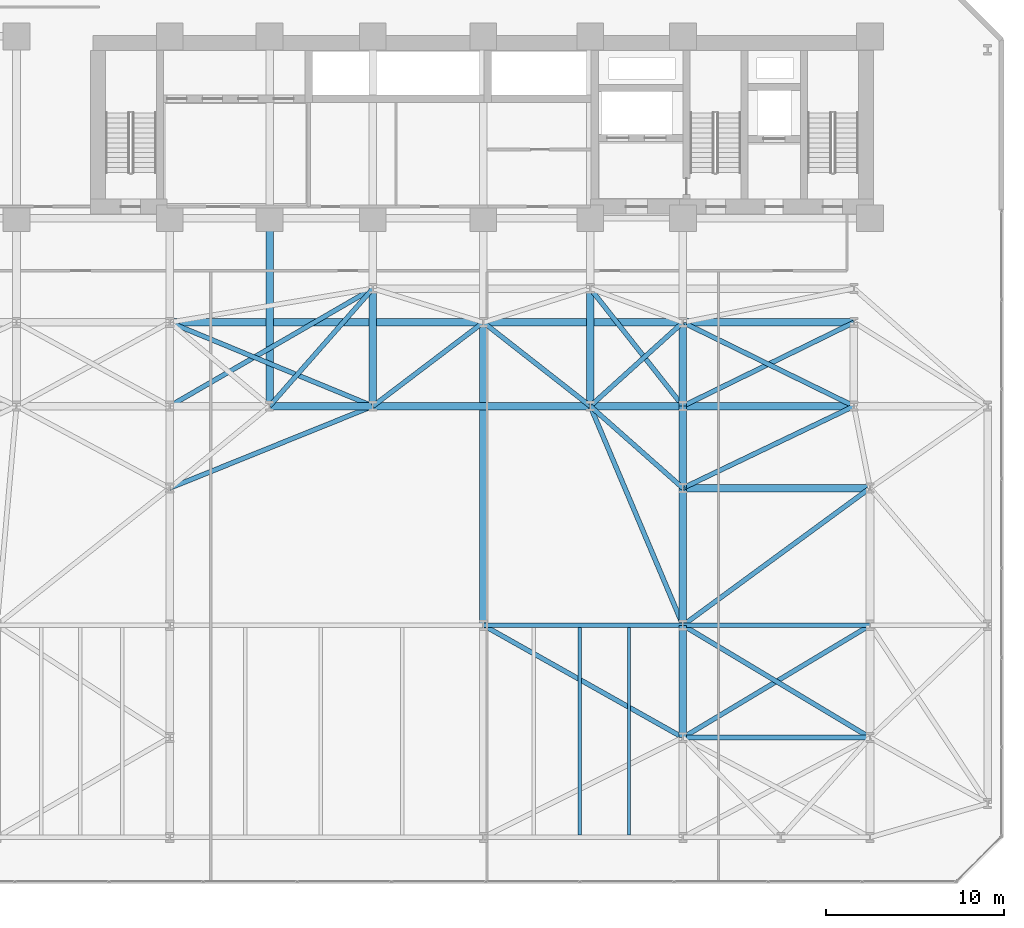
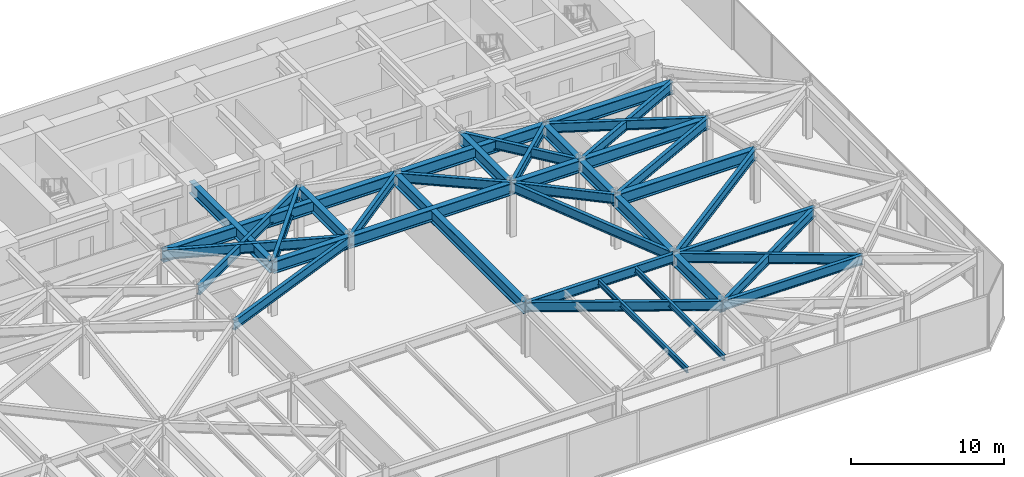
# One storey, part 18 of 28: 38 beams.
"""IFC4 building model written with IfcOpenShell, lengths in metres."""

from ifc_helpers import new_model, si_unit, direction, frame, origin, origin_2d, place, context, subcontext, project, spatial, i_section, extrude, material, material_profile, profile_set, type_object, element, save


model = new_model("IFC4")

# Units and contexts
model_context = context("Model", 3, precision=1e-05, world=origin(), true_north=direction((0.0, 1.0)))
body_context = subcontext(model_context, "Body", "Model", "MODEL_VIEW")
ifc_project = project(units=[si_unit("LENGTHUNIT", "METRE"), si_unit("AREAUNIT", "SQUARE_METRE"), si_unit("VOLUMEUNIT", "CUBIC_METRE"), si_unit("PLANEANGLEUNIT", "RADIAN"), si_unit("MASSUNIT", "GRAM", prefix="KILO")], contexts=[model_context])

# Site, building, storey
site_placement = place(None, origin())
site = spatial("IfcSite", under=ifc_project, at=site_placement, CompositionType="ELEMENT")
building_placement = place(site_placement, origin())
building = spatial("IfcBuilding", under=site, at=building_placement, Name="Kravanh Interchange Tower", CompositionType="ELEMENT")
storey_placement = place(building_placement, frame((0.0, 0.0, 10.800048828125)))
storey = spatial("IfcBuildingStorey", under=building, at=storey_placement, Name="L02", CompositionType="ELEMENT", Elevation=10.800048828125)

# Beams
ifc_material_1 = material(Name="Structural Steel S450", Category="steel")
ifc_material_profile_1 = material_profile(ifc_material_1, i_section(OverallWidth=0.423095703125, OverallDepth=0.947998046875, WebThickness=0.02392578125, FlangeThickness=0.042724609375, FilletRadius=0.028076171875, at=origin_2d()), Name="W36X302")
ifc_profile_set_1 = profile_set([ifc_material_profile_1], Name="Structural Steel S450")
beam_type_1 = type_object("IfcBeamType", Name="Floor Beam W36X302 Structural Steel S450", PredefinedType="BEAM", material=ifc_profile_set_1)
beam_1_placement = place(storey_placement, frame((56.0, 8.199951171875, 3.755859375), z_axis=(0.0, 1.0, 0.0), x_axis=(-1.0, 0.0, 0.0)))
element("IfcBeam", 1, at=beam_1_placement, inside=storey, type_object=beam_type_1, Name="L02 Primary Floor Girder 29", PredefinedType="BEAM", context=body_context, shape_type="SweptSolid", body=[
    extrude(i_section(OverallWidth=0.423095703125, OverallDepth=0.947998046875, WebThickness=0.02392578125, FlangeThickness=0.042724609375, FilletRadius=0.028076171875, at=origin_2d()), origin(), (0.0, 0.0, 1.0), 6.300048828125),
])
beam_2_placement = place(storey_placement, frame((44.800048828125, 14.5, 3.755859375), z_axis=(0.0, 1.0, 0.0), x_axis=(-1.0, 0.0, 0.0)))
element("IfcBeam", 2, at=beam_2_placement, inside=storey, type_object=beam_type_1, Name="L02 Primary Floor Girder 48", PredefinedType="BEAM", context=body_context, shape_type="SweptSolid", body=[
    extrude(i_section(OverallWidth=0.423095703125, OverallDepth=0.947998046875, WebThickness=0.02392578125, FlangeThickness=0.042724609375, FilletRadius=0.028076171875, at=origin_2d()), origin(), (0.0, 0.0, 1.0), 17.0),
])
beam_3_placement = place(storey_placement, frame((56.0, 14.5, 3.755859375), z_axis=(0.0, 1.0, 0.0), x_axis=(-1.0, 0.0, 0.0)))
element("IfcBeam", 3, at=beam_3_placement, inside=storey, type_object=beam_type_1, Name="L02 Primary Floor Girder 49", PredefinedType="BEAM", context=body_context, shape_type="SweptSolid", body=[
    extrude(i_section(OverallWidth=0.423095703125, OverallDepth=0.947998046875, WebThickness=0.02392578125, FlangeThickness=0.042724609375, FilletRadius=0.028076171875, at=origin_2d()), origin(), (0.0, 0.0, 1.0), 7.699951171875),
])
beam_4_placement = place(storey_placement, frame((56.0, 22.199951171875, 3.755859375), z_axis=(0.0, 1.0, 0.0), x_axis=(-1.0, 0.0, 0.0)))
element("IfcBeam", 4, at=beam_4_placement, inside=storey, type_object=beam_type_1, Name="L02 Primary Floor Girder 65", PredefinedType="BEAM", context=body_context, shape_type="SweptSolid", body=[
    extrude(i_section(OverallWidth=0.423095703125, OverallDepth=0.947998046875, WebThickness=0.02392578125, FlangeThickness=0.042724609375, FilletRadius=0.028076171875, at=origin_2d()), origin(), (0.0, 0.0, 1.0), 4.60009765625),
])
beam_5_placement = place(storey_placement, frame((56.0, 22.199951171875, 3.755859375), z_axis=(1.0, 0.0, 0.0), x_axis=(0.0, 1.0, 0.0)))
element("IfcBeam", 5, at=beam_5_placement, inside=storey, type_object=beam_type_1, Name="L02 Primary Floor Girder 67", PredefinedType="BEAM", context=body_context, shape_type="SweptSolid", body=[
    extrude(i_section(OverallWidth=0.423095703125, OverallDepth=0.947998046875, WebThickness=0.02392578125, FlangeThickness=0.042724609375, FilletRadius=0.028076171875, at=origin_2d()), origin(), (0.0, 0.0, 1.0), 10.5),
])
beam_6_placement = place(storey_placement, frame((32.800048828125, 26.800048828125, 3.755859375), z_axis=(1.0, 0.0, 0.0), x_axis=(0.0, 1.0, 0.0)))
element("IfcBeam", 6, at=beam_6_placement, inside=storey, type_object=beam_type_1, Name="L02 Primary Floor Girder 85", PredefinedType="BEAM", context=body_context, shape_type="SweptSolid", body=[
    extrude(i_section(OverallWidth=0.423095703125, OverallDepth=0.947998046875, WebThickness=0.02392578125, FlangeThickness=0.042724609375, FilletRadius=0.028076171875, at=origin_2d()), origin(), (0.0, 0.0, 1.0), 5.800048828125),
])
beam_7_placement = place(storey_placement, frame((32.800048828125, 26.800048828125, 3.755859375), z_axis=(0.0, 1.0, 0.0), x_axis=(-1.0, 0.0, 0.0)))
element("IfcBeam", 7, at=beam_7_placement, inside=storey, type_object=beam_type_1, Name="L02 Primary Floor Girder 88", PredefinedType="BEAM", context=body_context, shape_type="SweptSolid", body=[
    extrude(i_section(OverallWidth=0.423095703125, OverallDepth=0.947998046875, WebThickness=0.02392578125, FlangeThickness=0.042724609375, FilletRadius=0.028076171875, at=origin_2d()), origin(), (0.0, 0.0, 1.0), 10.550048828125),
])
beam_8_placement = place(storey_placement, frame((38.60009765625, 26.800048828125, 3.755859375), z_axis=(0.0, 1.0, 0.0), x_axis=(-1.0, 0.0, 0.0)))
element("IfcBeam", 8, at=beam_8_placement, inside=storey, type_object=beam_type_1, Name="L02 Primary Floor Girder 89", PredefinedType="BEAM", context=body_context, shape_type="SweptSolid", body=[
    extrude(i_section(OverallWidth=0.423095703125, OverallDepth=0.947998046875, WebThickness=0.02392578125, FlangeThickness=0.042724609375, FilletRadius=0.028076171875, at=origin_2d()), origin(), (0.0, 0.0, 1.0), 6.599853515625),
])
beam_9_placement = place(storey_placement, frame((38.60009765625, 26.800048828125, 3.755859375), z_axis=(1.0, 0.0, 0.0), x_axis=(0.0, 1.0, 0.0)))
element("IfcBeam", 9, at=beam_9_placement, inside=storey, type_object=beam_type_1, Name="L02 Primary Floor Girder 91", PredefinedType="BEAM", context=body_context, shape_type="SweptSolid", body=[
    extrude(i_section(OverallWidth=0.423095703125, OverallDepth=0.947998046875, WebThickness=0.02392578125, FlangeThickness=0.042724609375, FilletRadius=0.028076171875, at=origin_2d()), origin(), (0.0, 0.0, 1.0), 12.199951171875),
])
beam_10_placement = place(storey_placement, frame((50.800048828125, 26.800048828125, 3.755859375), z_axis=(1.0, 0.0, 0.0), x_axis=(0.0, 1.0, 0.0)))
element("IfcBeam", 10, at=beam_10_placement, inside=storey, type_object=beam_type_1, Name="L02 Primary Floor Girder 93", PredefinedType="BEAM", context=body_context, shape_type="SweptSolid", body=[
    extrude(i_section(OverallWidth=0.423095703125, OverallDepth=0.947998046875, WebThickness=0.02392578125, FlangeThickness=0.042724609375, FilletRadius=0.028076171875, at=origin_2d()), origin(), (0.0, 0.0, 1.0), 5.199951171875),
])
beam_11_placement = place(storey_placement, frame((50.800048828125, 26.800048828125, 3.755859375), z_axis=(0.0, 1.0, 0.0), x_axis=(-1.0, 0.0, 0.0)))
element("IfcBeam", 11, at=beam_11_placement, inside=storey, type_object=beam_type_1, Name="L02 Primary Floor Girder 94", PredefinedType="BEAM", context=body_context, shape_type="SweptSolid", body=[
    extrude(i_section(OverallWidth=0.423095703125, OverallDepth=0.947998046875, WebThickness=0.02392578125, FlangeThickness=0.042724609375, FilletRadius=0.028076171875, at=origin_2d()), origin(), (0.0, 0.0, 1.0), 6.599853515625),
])
beam_12_placement = place(storey_placement, frame((56.0, 26.800048828125, 3.755859375), z_axis=(0.0, 1.0, 0.0), x_axis=(-1.0, 0.0, 0.0)))
element("IfcBeam", 12, at=beam_12_placement, inside=storey, type_object=beam_type_1, Name="L02 Primary Floor Girder 97", PredefinedType="BEAM", context=body_context, shape_type="SweptSolid", body=[
    extrude(i_section(OverallWidth=0.423095703125, OverallDepth=0.947998046875, WebThickness=0.02392578125, FlangeThickness=0.042724609375, FilletRadius=0.028076171875, at=origin_2d()), origin(), (0.0, 0.0, 1.0), 4.699951171875),
])
beam_13_placement = place(storey_placement, frame((56.0, 26.800048828125, 3.755859375), z_axis=(1.0, 0.0, 0.0), x_axis=(0.0, 1.0, 0.0)))
element("IfcBeam", 13, at=beam_13_placement, inside=storey, type_object=beam_type_1, Name="L02 Primary Floor Girder 99", PredefinedType="BEAM", context=body_context, shape_type="SweptSolid", body=[
    extrude(i_section(OverallWidth=0.423095703125, OverallDepth=0.947998046875, WebThickness=0.02392578125, FlangeThickness=0.042724609375, FilletRadius=0.028076171875, at=origin_2d()), origin(), (0.0, 0.0, 1.0), 9.60009765625),
])
beam_14_placement = place(storey_placement, frame((27.199951171875, 31.5, 3.755859375), z_axis=(1.0, 0.0, 0.0), x_axis=(0.0, 1.0, 0.0)))
element("IfcBeam", 14, at=beam_14_placement, inside=storey, type_object=beam_type_1, Name="L02 Primary Floor Girder 112", PredefinedType="BEAM", context=body_context, shape_type="SweptSolid", body=[
    extrude(i_section(OverallWidth=0.423095703125, OverallDepth=0.947998046875, WebThickness=0.02392578125, FlangeThickness=0.042724609375, FilletRadius=0.028076171875, at=origin_2d()), origin(), (0.0, 0.0, 1.0), 17.60009765625),
])
beam_15_placement = place(storey_placement, frame((44.800048828125, 31.5, 3.755859375), z_axis=(1.0, 0.0, 0.0), x_axis=(0.0, 1.0, 0.0)))
element("IfcBeam", 15, at=beam_15_placement, inside=storey, type_object=beam_type_1, Name="L02 Primary Floor Girder 116", PredefinedType="BEAM", context=body_context, shape_type="SweptSolid", body=[
    extrude(i_section(OverallWidth=0.423095703125, OverallDepth=0.947998046875, WebThickness=0.02392578125, FlangeThickness=0.042724609375, FilletRadius=0.028076171875, at=origin_2d()), origin(), (0.0, 0.0, 1.0), 11.199951171875),
])
beam_16_placement = place(storey_placement, frame((56.0, 31.5, 3.755859375), z_axis=(1.0, 0.0, 0.0), x_axis=(0.0, 1.0, 0.0)))
element("IfcBeam", 16, at=beam_16_placement, inside=storey, type_object=beam_type_1, Name="L02 Primary Floor Girder 119", PredefinedType="BEAM", context=body_context, shape_type="SweptSolid", body=[
    extrude(i_section(OverallWidth=0.423095703125, OverallDepth=0.947998046875, WebThickness=0.02392578125, FlangeThickness=0.042724609375, FilletRadius=0.028076171875, at=origin_2d()), origin(), (0.0, 0.0, 1.0), 9.60009765625),
])
ifc_material_2 = material(Name="Structural Steel S355", Category="steel")
ifc_material_profile_2 = material_profile(ifc_material_2, i_section(OverallWidth=0.18994140625, OverallDepth=0.45703125, WebThickness=0.009033203125, FlangeThickness=0.014404296875, FilletRadius=0.01806640625, at=origin_2d()), Name="W18X50")
ifc_profile_set_2 = profile_set([ifc_material_profile_2], Name="Structural Steel S355")
beam_type_2 = type_object("IfcBeamType", Name="Floor Joist W18X50 Structural Steel S355", PredefinedType="JOIST", material=ifc_profile_set_2)
for number, where, z_axis, x_axis, name in (
    (17, (50.201904296875, 2.728515625, 4.00146484375), (0.0, 1.0, 0.0), (-1.0, 0.0, 0.0), "L02 Secondary Floor Joist 11"),
    (18, (52.97412109375, 2.728515625, 4.00146484375), (0.0, 1.0, 0.0), (-1.0, 0.0, 0.0), "L02 Secondary Floor Joist 12"),
):
    element("IfcBeam", number, at=place(storey_placement, frame(where, z_axis=z_axis, x_axis=x_axis)), inside=storey, type_object=beam_type_2, Name=name, PredefinedType="JOIST", context=body_context, shape_type="SweptSolid", body=[
        extrude(i_section(OverallWidth=0.18994140625, OverallDepth=0.45703125, WebThickness=0.009033203125, FlangeThickness=0.014404296875, FilletRadius=0.01806640625, at=origin_2d()), origin(), (0.0, 0.0, 1.0), 11.64306640625),
    ])
ifc_material_3 = material(Name="Structural Steel S355", Category="steel")
ifc_material_profile_3 = material_profile(ifc_material_3, i_section(OverallWidth=0.26708984375, OverallDepth=0.761962890625, WebThickness=0.014404296875, FlangeThickness=0.021484375, FilletRadius=0.02490234375, at=origin_2d()), Name="W30X116")
ifc_profile_set_3 = profile_set([ifc_material_profile_3], Name="Structural Steel S355")
beam_type_3 = type_object("IfcBeamType", Name="Floor Spandrel W30X116 Structural Steel S355", PredefinedType="SPANDREL", material=ifc_profile_set_3)
beam_17_placement = place(storey_placement, frame((56.0, 8.199951171875, 3.848876953125), z_axis=(1.0, 0.0, 0.0), x_axis=(0.0, 1.0, 0.0)))
element("IfcBeam", 19, at=beam_17_placement, inside=storey, type_object=beam_type_3, Name="L02 Perimeter Spandrel 30", PredefinedType="SPANDREL", context=body_context, shape_type="SweptSolid", body=[
    extrude(i_section(OverallWidth=0.26708984375, OverallDepth=0.761962890625, WebThickness=0.014404296875, FlangeThickness=0.021484375, FilletRadius=0.02490234375, at=origin_2d()), origin(), (0.0, 0.0, 1.0), 10.5),
])
beam_18_placement = place(storey_placement, frame((56.0, 8.199951171875, 3.848876953125), z_axis=(0.857491166477, 0.514498687475, 0.0), x_axis=(-0.514498687475, 0.857491166477, 0.0)))
element("IfcBeam", 20, at=beam_18_placement, inside=storey, type_object=beam_type_3, Name="L02 Perimeter Spandrel 31", PredefinedType="SPANDREL", context=body_context, shape_type="SweptSolid", body=[
    extrude(i_section(OverallWidth=0.26708984375, OverallDepth=0.761962890625, WebThickness=0.014404296875, FlangeThickness=0.021484375, FilletRadius=0.02490234375, at=origin_2d()), origin(), (0.0, 0.0, 1.0), 12.2451171875),
])
beam_19_placement = place(storey_placement, frame((56.0, 8.199951171875, 3.848876953125), z_axis=(-0.871573000172, 0.490265749743, 0.0), x_axis=(-0.490265749743, -0.871573000172, 0.0)))
element("IfcBeam", 21, at=beam_19_placement, inside=storey, type_object=beam_type_3, Name="L02 Perimeter Spandrel 32", PredefinedType="SPANDREL", context=body_context, shape_type="SweptSolid", body=[
    extrude(i_section(OverallWidth=0.26708984375, OverallDepth=0.761962890625, WebThickness=0.014404296875, FlangeThickness=0.021484375, FilletRadius=0.02490234375, at=origin_2d()), origin(), (0.0, 0.0, 1.0), 12.850341796875),
])
beam_20_placement = place(storey_placement, frame((66.5, 8.199951171875, 3.848876953125), z_axis=(-0.857491166477, 0.514498687475, 0.0), x_axis=(-0.514498687475, -0.857491166477, 0.0)))
element("IfcBeam", 22, at=beam_20_placement, inside=storey, type_object=beam_type_3, Name="L02 Perimeter Spandrel 36", PredefinedType="SPANDREL", context=body_context, shape_type="SweptSolid", body=[
    extrude(i_section(OverallWidth=0.26708984375, OverallDepth=0.761962890625, WebThickness=0.014404296875, FlangeThickness=0.021484375, FilletRadius=0.02490234375, at=origin_2d()), origin(), (0.0, 0.0, 1.0), 12.2451171875),
])
beam_21_placement = place(storey_placement, frame((44.800048828125, 14.5, 3.848876953125), z_axis=(1.0, 0.0, 0.0), x_axis=(0.0, 1.0, 0.0)))
element("IfcBeam", 23, at=beam_21_placement, inside=storey, type_object=beam_type_3, Name="L02 Perimeter Spandrel 47", PredefinedType="SPANDREL", context=body_context, shape_type="SweptSolid", body=[
    extrude(i_section(OverallWidth=0.26708984375, OverallDepth=0.761962890625, WebThickness=0.014404296875, FlangeThickness=0.021484375, FilletRadius=0.02490234375, at=origin_2d()), origin(), (0.0, 0.0, 1.0), 11.199951171875),
])
beam_22_placement = place(storey_placement, frame((56.0, 14.5, 3.848876953125), z_axis=(1.0, 0.0, 0.0), x_axis=(0.0, 1.0, 0.0)))
element("IfcBeam", 24, at=beam_22_placement, inside=storey, type_object=beam_type_3, Name="L02 Perimeter Spandrel 50", PredefinedType="SPANDREL", context=body_context, shape_type="SweptSolid", body=[
    extrude(i_section(OverallWidth=0.26708984375, OverallDepth=0.761962890625, WebThickness=0.014404296875, FlangeThickness=0.021484375, FilletRadius=0.02490234375, at=origin_2d()), origin(), (0.0, 0.0, 1.0), 10.5),
])
beam_23_placement = place(storey_placement, frame((56.0, 14.5, 3.848876953125), z_axis=(0.806406784162, 0.59136122502, 0.0), x_axis=(-0.59136122502, 0.806406784162, 0.0)))
element("IfcBeam", 25, at=beam_23_placement, inside=storey, type_object=beam_type_3, Name="L02 Perimeter Spandrel 51", PredefinedType="SPANDREL", context=body_context, shape_type="SweptSolid", body=[
    extrude(i_section(OverallWidth=0.26708984375, OverallDepth=0.761962890625, WebThickness=0.014404296875, FlangeThickness=0.021484375, FilletRadius=0.02490234375, at=origin_2d()), origin(), (0.0, 0.0, 1.0), 13.020751953125),
])
beam_24_placement = place(storey_placement, frame((56.0, 14.5, 3.848876953125), z_axis=(-0.389391275313, 0.921072437276, 0.0), x_axis=(-0.921072437276, -0.389391275313, 0.0)))
element("IfcBeam", 26, at=beam_24_placement, inside=storey, type_object=beam_type_3, Name="L02 Perimeter Spandrel 52", PredefinedType="SPANDREL", context=body_context, shape_type="SweptSolid", body=[
    extrude(i_section(OverallWidth=0.26708984375, OverallDepth=0.761962890625, WebThickness=0.014404296875, FlangeThickness=0.021484375, FilletRadius=0.02490234375, at=origin_2d()), origin(), (0.0, 0.0, 1.0), 13.35400390625),
])
beam_25_placement = place(storey_placement, frame((27.199951171875, 22.199951171875, 3.848876953125), z_axis=(0.927349344428, 0.374196730864, 0.0), x_axis=(-0.374196730864, 0.927349344428, 0.0)))
element("IfcBeam", 27, at=beam_25_placement, inside=storey, type_object=beam_type_3, Name="L02 Perimeter Spandrel 64", PredefinedType="SPANDREL", context=body_context, shape_type="SweptSolid", body=[
    extrude(i_section(OverallWidth=0.26708984375, OverallDepth=0.761962890625, WebThickness=0.014404296875, FlangeThickness=0.021484375, FilletRadius=0.02490234375, at=origin_2d()), origin(), (0.0, 0.0, 1.0), 12.293212890625),
])
beam_26_placement = place(storey_placement, frame((56.0, 22.199951171875, 3.848876953125), z_axis=(-0.74898649432, 0.662585263439, 0.0), x_axis=(-0.662585263439, -0.74898649432, 0.0)))
element("IfcBeam", 28, at=beam_26_placement, inside=storey, type_object=beam_type_3, Name="L02 Perimeter Spandrel 66", PredefinedType="SPANDREL", context=body_context, shape_type="SweptSolid", body=[
    extrude(i_section(OverallWidth=0.26708984375, OverallDepth=0.761962890625, WebThickness=0.014404296875, FlangeThickness=0.021484375, FilletRadius=0.02490234375, at=origin_2d()), origin(), (0.0, 0.0, 1.0), 6.942626953125),
])
beam_27_placement = place(storey_placement, frame((56.0, 22.199951171875, 3.848876953125), z_axis=(0.901814166789, 0.432124066188, 0.0), x_axis=(-0.432124066188, 0.901814166789, 0.0)))
element("IfcBeam", 29, at=beam_27_placement, inside=storey, type_object=beam_type_3, Name="L02 Perimeter Spandrel 68", PredefinedType="SPANDREL", context=body_context, shape_type="SweptSolid", body=[
    extrude(i_section(OverallWidth=0.26708984375, OverallDepth=0.761962890625, WebThickness=0.014404296875, FlangeThickness=0.021484375, FilletRadius=0.02490234375, at=origin_2d()), origin(), (0.0, 0.0, 1.0), 10.645263671875),
])
beam_28_placement = place(storey_placement, frame((27.199951171875, 26.800048828125, 3.848876953125), z_axis=(0.865433898834, 0.501023119974, 0.0), x_axis=(-0.501023119974, 0.865433898834, 0.0)))
element("IfcBeam", 30, at=beam_28_placement, inside=storey, type_object=beam_type_3, Name="L02 Perimeter Spandrel 84", PredefinedType="SPANDREL", context=body_context, shape_type="SweptSolid", body=[
    extrude(i_section(OverallWidth=0.26708984375, OverallDepth=0.761962890625, WebThickness=0.014404296875, FlangeThickness=0.021484375, FilletRadius=0.02490234375, at=origin_2d()), origin(), (0.0, 0.0, 1.0), 13.1728515625),
])
beam_29_placement = place(storey_placement, frame((32.800048828125, 26.800048828125, 3.848876953125), z_axis=(0.660126010232, 0.751154877914, 0.0), x_axis=(-0.751154877914, 0.660126010232, 0.0)))
element("IfcBeam", 31, at=beam_29_placement, inside=storey, type_object=beam_type_3, Name="L02 Perimeter Spandrel 87", PredefinedType="SPANDREL", context=body_context, shape_type="SweptSolid", body=[
    extrude(i_section(OverallWidth=0.26708984375, OverallDepth=0.761962890625, WebThickness=0.014404296875, FlangeThickness=0.021484375, FilletRadius=0.02490234375, at=origin_2d()), origin(), (0.0, 0.0, 1.0), 8.786376953125),
])
beam_30_placement = place(storey_placement, frame((38.60009765625, 26.800048828125, 3.848876953125), z_axis=(0.796905365509, 0.604104161898, 0.0), x_axis=(-0.604104161898, 0.796905365509, 0.0)))
element("IfcBeam", 32, at=beam_30_placement, inside=storey, type_object=beam_type_3, Name="L02 Perimeter Spandrel 90", PredefinedType="SPANDREL", context=body_context, shape_type="SweptSolid", body=[
    extrude(i_section(OverallWidth=0.26708984375, OverallDepth=0.761962890625, WebThickness=0.014404296875, FlangeThickness=0.021484375, FilletRadius=0.02490234375, at=origin_2d()), origin(), (0.0, 0.0, 1.0), 7.780029296875),
])
beam_31_placement = place(storey_placement, frame((38.60009765625, 26.800048828125, 3.848876953125), z_axis=(-0.924513176562, 0.381150083778, 0.0), x_axis=(-0.381150083778, -0.924513176562, 0.0)))
element("IfcBeam", 33, at=beam_31_placement, inside=storey, type_object=beam_type_3, Name="L02 Perimeter Spandrel 92", PredefinedType="SPANDREL", context=body_context, shape_type="SweptSolid", body=[
    extrude(i_section(OverallWidth=0.26708984375, OverallDepth=0.761962890625, WebThickness=0.014404296875, FlangeThickness=0.021484375, FilletRadius=0.02490234375, at=origin_2d()), origin(), (0.0, 0.0, 1.0), 12.3310546875),
])
beam_32_placement = place(storey_placement, frame((50.800048828125, 26.800048828125, 3.848876953125), z_axis=(0.741874009795, 0.670539300557, 0.0), x_axis=(-0.670539300557, 0.741874009795, 0.0)))
element("IfcBeam", 34, at=beam_32_placement, inside=storey, type_object=beam_type_3, Name="L02 Perimeter Spandrel 95", PredefinedType="SPANDREL", context=body_context, shape_type="SweptSolid", body=[
    extrude(i_section(OverallWidth=0.26708984375, OverallDepth=0.761962890625, WebThickness=0.014404296875, FlangeThickness=0.021484375, FilletRadius=0.02490234375, at=origin_2d()), origin(), (0.0, 0.0, 1.0), 7.00927734375),
])
beam_33_placement = place(storey_placement, frame((50.800048828125, 26.800048828125, 3.848876953125), z_axis=(-0.787231163579, 0.616658004967, 0.0), x_axis=(-0.616658004967, -0.787231163579, 0.0)))
element("IfcBeam", 35, at=beam_33_placement, inside=storey, type_object=beam_type_3, Name="L02 Perimeter Spandrel 96", PredefinedType="SPANDREL", context=body_context, shape_type="SweptSolid", body=[
    extrude(i_section(OverallWidth=0.26708984375, OverallDepth=0.761962890625, WebThickness=0.014404296875, FlangeThickness=0.021484375, FilletRadius=0.02490234375, at=origin_2d()), origin(), (0.0, 0.0, 1.0), 7.62158203125),
])
beam_34_placement = place(storey_placement, frame((56.0, 26.800048828125, 3.848876953125), z_axis=(-0.618877116007, 0.785487819946, 0.0), x_axis=(-0.785487819946, -0.618877116007, 0.0)))
element("IfcBeam", 36, at=beam_34_placement, inside=storey, type_object=beam_type_3, Name="L02 Perimeter Spandrel 98", PredefinedType="SPANDREL", context=body_context, shape_type="SweptSolid", body=[
    extrude(i_section(OverallWidth=0.26708984375, OverallDepth=0.761962890625, WebThickness=0.014404296875, FlangeThickness=0.021484375, FilletRadius=0.02490234375, at=origin_2d()), origin(), (0.0, 0.0, 1.0), 8.40234375),
])
for number, where, z_axis, x_axis, name in (
    (37, (56.0, 26.800048828125, 3.848876953125), (0.898141688387, 0.439706160499, 0.0), (-0.439706160499, 0.898141688387, 0.0), "L02 Perimeter Spandrel 100"),
    (38, (65.60009765625, 26.800048828125, 3.848876953125), (-0.898141688387, 0.439706160499, 0.0), (-0.439706160499, -0.898141688387, 0.0), "L02 Perimeter Spandrel 103"),
):
    element("IfcBeam", number, at=place(storey_placement, frame(where, z_axis=z_axis, x_axis=x_axis)), inside=storey, type_object=beam_type_3, Name=name, PredefinedType="SPANDREL", context=body_context, shape_type="SweptSolid", body=[
        extrude(i_section(OverallWidth=0.26708984375, OverallDepth=0.761962890625, WebThickness=0.014404296875, FlangeThickness=0.021484375, FilletRadius=0.02490234375, at=origin_2d()), origin(), (0.0, 0.0, 1.0), 10.68896484375),
    ])

save(model, "model.ifc")
